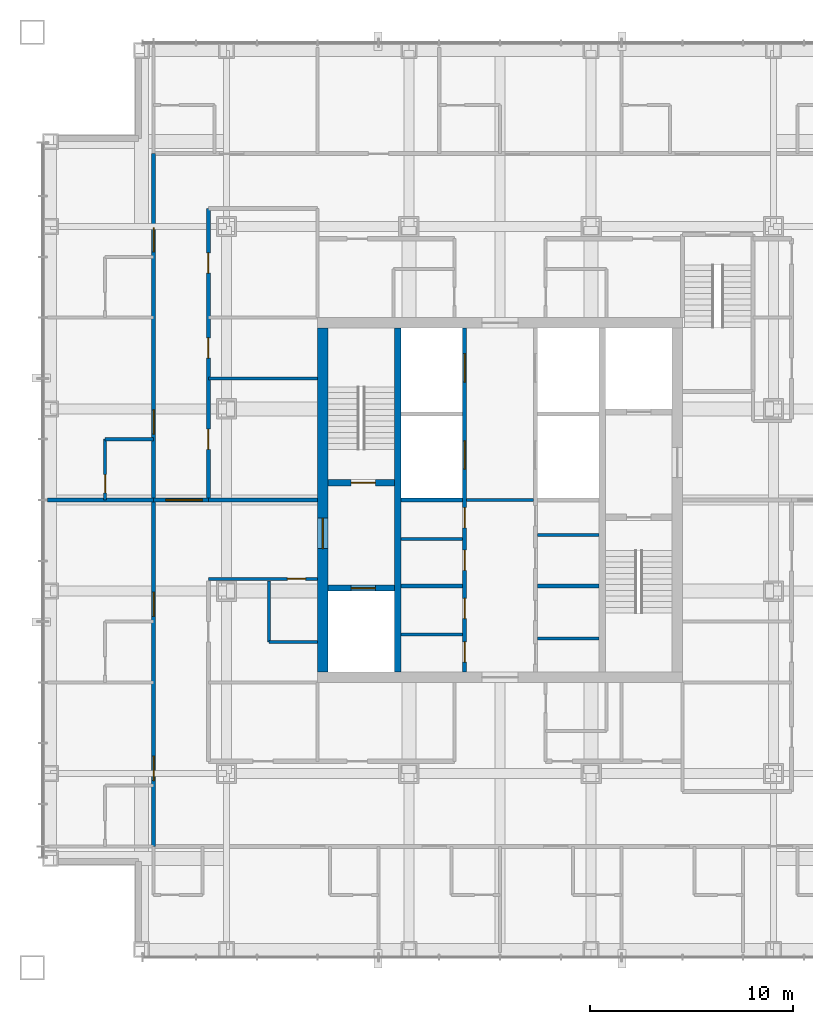
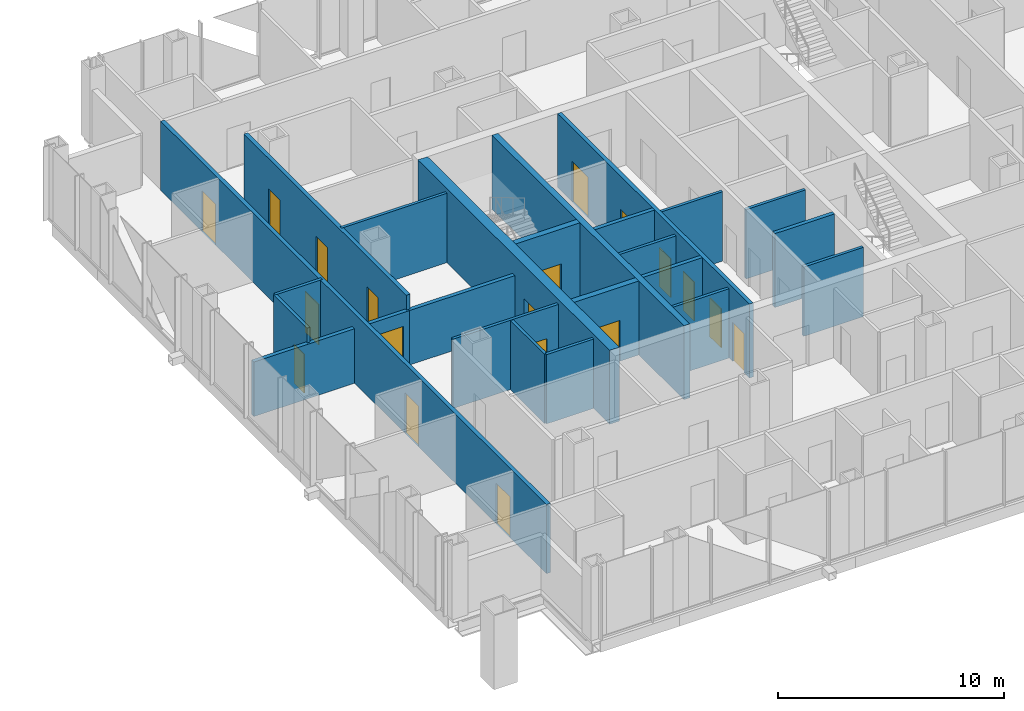
# One storey, part 12 of 16: 24 walls, 19 doors, 19 openings.
"""IFC4 building model written with IfcOpenShell, lengths in metres."""

from ifc_helpers import new_model, si_unit, direction, frame, frame_2d, origin, place, context, subcontext, project, spatial, rectangle, extrude, material, layer, layer_set, type_object, element, fill, save


model = new_model("IFC4")

# Units and contexts
model_context = context("Model", 3, precision=1e-05, world=origin(), true_north=direction((0.0, 1.0)))
body_context = subcontext(model_context, "Body", "Model", "MODEL_VIEW")
ifc_project = project(units=[si_unit("LENGTHUNIT", "METRE"), si_unit("AREAUNIT", "SQUARE_METRE"), si_unit("VOLUMEUNIT", "CUBIC_METRE"), si_unit("PLANEANGLEUNIT", "RADIAN"), si_unit("MASSUNIT", "GRAM", prefix="KILO")], contexts=[model_context])

# Site, building, storey
site_placement = place(None, origin())
site = spatial("IfcSite", under=ifc_project, at=site_placement, CompositionType="ELEMENT")
building_placement = place(site_placement, origin())
building = spatial("IfcBuilding", under=site, at=building_placement, Name="Malebo Sky Hospital", CompositionType="ELEMENT")
storey_placement = place(building_placement, frame((0.0, 0.0, 197.0)))
storey = spatial("IfcBuildingStorey", under=building, at=storey_placement, Name="L47", CompositionType="ELEMENT", Elevation=197.0)

# Wall, openings, doors
ifc_material_1 = material(Name="Concrete C80/95", Category="concrete")
ifc_layer_1 = layer(ifc_material_1, 0.199951171875)
ifc_layer_set_1 = layer_set([ifc_layer_1], Name="CORE INNER WALL 200")
wall_type_1 = type_object("IfcWallType", Name="CORE INNER WALL 200", PredefinedType="SHEAR", material=ifc_layer_set_1)
wall_1_placement = place(storey_placement, frame((58.25, 53.5, 0.0), z_axis=(0.0, 0.0, 1.0), x_axis=(0.0, 1.0, 0.0)))
wall_1 = element("IfcWall", 1, at=wall_1_placement, inside=storey, type_object=wall_type_1, Name="Core wall LW L47", PredefinedType="SHEAR", context=body_context, shape_type="SweptSolid", body=[
    extrude(rectangle(XDim=17.0, YDim=0.199951171875, at=frame_2d((8.5, 0.0))), origin(), (0.0, 0.0, 1.0), 4.0),
])
opening_1_placement = place(wall_1_placement, frame((0.49609375, 0.0, 0.0)))
opening_1 = element("IfcOpeningElement", 2, at=opening_1_placement, cuts=wall_1, Name="Opening D17", PredefinedType="OPENING", context=body_context, shape_type="SweptSolid", body=[
    extrude(rectangle(XDim=1.0, YDim=2.10009765625, at=frame_2d((0.5, 1.050048828125))), frame((0.0, 0.10986328125, 0.0), z_axis=(0.0, -1.0, 0.0), x_axis=(1.0, 0.0, 0.0)), (0.0, 0.0, 1.0), 0.219970703125),
])
opening_2_placement = place(wall_1_placement, frame((2.64599609375, 0.0, 0.0)))
opening_2 = element("IfcOpeningElement", 3, at=opening_2_placement, cuts=wall_1, Name="Opening D17", PredefinedType="OPENING", context=body_context, shape_type="SweptSolid", body=[
    extrude(rectangle(XDim=1.0, YDim=2.10009765625, at=frame_2d((0.5, 1.050048828125))), frame((0.0, 0.10986328125, 0.0), z_axis=(0.0, -1.0, 0.0), x_axis=(1.0, 0.0, 0.0)), (0.0, 0.0, 1.0), 0.219970703125),
])
opening_3_placement = place(wall_1_placement, frame((5.026611328125, 0.0, 0.0)))
opening_3 = element("IfcOpeningElement", 4, at=opening_3_placement, cuts=wall_1, Name="Opening D17", PredefinedType="OPENING", context=body_context, shape_type="SweptSolid", body=[
    extrude(rectangle(XDim=1.0, YDim=2.10009765625, at=frame_2d((0.5, 1.050048828125))), frame((0.0, 0.10986328125, 0.0), z_axis=(0.0, -1.0, 0.0), x_axis=(1.0, 0.0, 0.0)), (0.0, 0.0, 1.0), 0.219970703125),
])
opening_4_placement = place(wall_1_placement, frame((7.12646484375, 0.0, 0.0)))
opening_4 = element("IfcOpeningElement", 5, at=opening_4_placement, cuts=wall_1, Name="Opening D17", PredefinedType="OPENING", context=body_context, shape_type="SweptSolid", body=[
    extrude(rectangle(XDim=1.0, YDim=2.10009765625, at=frame_2d((0.5, 1.050048828125))), frame((0.0, 0.10986328125, 0.0), z_axis=(0.0, -1.0, 0.0), x_axis=(1.0, 0.0, 0.0)), (0.0, 0.0, 1.0), 0.219970703125),
])
opening_5_placement = place(wall_1_placement, frame((10.02490234375, 0.0, 0.0)))
opening_5 = element("IfcOpeningElement", 6, at=opening_5_placement, cuts=wall_1, Name="Opening LD1", PredefinedType="OPENING", context=body_context, shape_type="SweptSolid", body=[
    extrude(rectangle(XDim=1.39990234375, YDim=2.199951171875, at=frame_2d((0.699951171875, 1.10009765625))), frame((0.0, 0.10986328125, 0.0), z_axis=(0.0, -1.0, 0.0), x_axis=(1.0, 0.0, 0.0)), (0.0, 0.0, 1.0), 0.219970703125),
])
opening_6_placement = place(wall_1_placement, frame((14.324951171875, 0.0, 0.0)))
opening_6 = element("IfcOpeningElement", 7, at=opening_6_placement, cuts=wall_1, Name="Opening LD1", PredefinedType="OPENING", context=body_context, shape_type="SweptSolid", body=[
    extrude(rectangle(XDim=1.39990234375, YDim=2.199951171875, at=frame_2d((0.699951171875, 1.10009765625))), frame((0.0, 0.10986328125, 0.0), z_axis=(0.0, -1.0, 0.0), x_axis=(1.0, 0.0, 0.0)), (0.0, 0.0, 1.0), 0.219970703125),
])
ifc_material_2 = material(Name="Hardwood-faced door leaf in steel frame", Category="steel")
door_type_1 = type_object("IfcDoorType", Name="FIRE DOOR 1000", OperationType="SINGLE_SWING_LEFT", PredefinedType="DOOR", material=ifc_material_2)
door_1_placement = place(opening_1_placement, origin())
door_1 = element("IfcDoor", 8, at=door_1_placement, inside=storey, type_object=door_type_1, Name="Archive store door", OperationType="SINGLE_SWING_RIGHT", OverallHeight=2.10009765625, OverallWidth=1.0, PredefinedType="DOOR", context=body_context, shape_type="SweptSolid", body=[
    extrude(rectangle(XDim=1.0, YDim=2.10009765625, at=frame_2d((0.5, 1.050048828125))), frame((0.0, 0.02490234375, 0.0), z_axis=(0.0, -1.0, 0.0), x_axis=(1.0, 0.0, 0.0)), (0.0, 0.0, 1.0), 0.050048828125),
])
fill(opening_1, door_1)
door_2_placement = place(opening_2_placement, origin())
door_2 = element("IfcDoor", 9, at=door_2_placement, inside=storey, type_object=door_type_1, Name="General store door", OperationType="SINGLE_SWING_RIGHT", OverallHeight=2.10009765625, OverallWidth=1.0, PredefinedType="DOOR", context=body_context, shape_type="SweptSolid", body=[
    extrude(rectangle(XDim=1.0, YDim=2.10009765625, at=frame_2d((0.5, 1.050048828125))), frame((0.0, 0.02490234375, 0.0), z_axis=(0.0, -1.0, 0.0), x_axis=(1.0, 0.0, 0.0)), (0.0, 0.0, 1.0), 0.050048828125),
])
fill(opening_2, door_2)
door_3_placement = place(opening_3_placement, origin())
door_3 = element("IfcDoor", 10, at=door_3_placement, inside=storey, type_object=door_type_1, Name="Records store door", OperationType="SINGLE_SWING_RIGHT", OverallHeight=2.10009765625, OverallWidth=1.0, PredefinedType="DOOR", context=body_context, shape_type="SweptSolid", body=[
    extrude(rectangle(XDim=1.0, YDim=2.10009765625, at=frame_2d((0.5, 1.050048828125))), frame((0.0, 0.02490234375, 0.0), z_axis=(0.0, -1.0, 0.0), x_axis=(1.0, 0.0, 0.0)), (0.0, 0.0, 1.0), 0.050048828125),
])
fill(opening_3, door_3)
door_4_placement = place(opening_4_placement, origin())
door_4 = element("IfcDoor", 11, at=door_4_placement, inside=storey, type_object=door_type_1, Name="Equipment store door", OperationType="SINGLE_SWING_RIGHT", OverallHeight=2.10009765625, OverallWidth=1.0, PredefinedType="DOOR", context=body_context, shape_type="SweptSolid", body=[
    extrude(rectangle(XDim=1.0, YDim=2.10009765625, at=frame_2d((0.5, 1.050048828125))), frame((0.0, 0.02490234375, 0.0), z_axis=(0.0, -1.0, 0.0), x_axis=(1.0, 0.0, 0.0)), (0.0, 0.0, 1.0), 0.050048828125),
])
fill(opening_4, door_4)
ifc_material_3 = material(Name="Stainless steel sliding landing door", Category="steel")
door_type_2 = type_object("IfcDoorType", Name="LIFT LANDING DOOR 1400", OperationType="SLIDING_TO_LEFT", PredefinedType="DOOR", material=ifc_material_3)
door_5_placement = place(opening_5_placement, origin())
door_5 = element("IfcDoor", 12, at=door_5_placement, inside=storey, type_object=door_type_2, Name="Lift W3 landing door", OperationType="SLIDING_TO_LEFT", OverallHeight=2.199951171875, OverallWidth=1.39990234375, PredefinedType="DOOR", context=body_context, shape_type="SweptSolid", body=[
    extrude(rectangle(XDim=1.39990234375, YDim=2.199951171875, at=frame_2d((0.699951171875, 1.10009765625))), frame((0.0, 0.02490234375, 0.0), z_axis=(0.0, -1.0, 0.0), x_axis=(1.0, 0.0, 0.0)), (0.0, 0.0, 1.0), 0.050048828125),
])
fill(opening_5, door_5)
door_6_placement = place(opening_6_placement, origin())
door_6 = element("IfcDoor", 13, at=door_6_placement, inside=storey, type_object=door_type_2, Name="Lift W4 landing door", OperationType="SLIDING_TO_LEFT", OverallHeight=2.199951171875, OverallWidth=1.39990234375, PredefinedType="DOOR", context=body_context, shape_type="SweptSolid", body=[
    extrude(rectangle(XDim=1.39990234375, YDim=2.199951171875, at=frame_2d((0.699951171875, 1.10009765625))), frame((0.0, 0.02490234375, 0.0), z_axis=(0.0, -1.0, 0.0), x_axis=(1.0, 0.0, 0.0)), (0.0, 0.0, 1.0), 0.050048828125),
])
fill(opening_6, door_6)

# Walls
for number, where, z_axis, x_axis, name in (
    (14, (55.10009765625, 57.75, 0.0), (0.0, 0.0, 1.0), (1.0, 0.0, 0.0), "Core wall SW0 L47"),
    (15, (61.85009765625, 57.75, 0.0), (0.0, 0.0, 1.0), (1.0, 0.0, 0.0), "Core wall SE0 L47"),
    (16, (55.10009765625, 62.0, 0.0), (0.0, 0.0, 1.0), (1.0, 0.0, 0.0), "Core wall SW1 L47"),
):
    element("IfcWall", number, at=place(storey_placement, frame(where, z_axis=z_axis, x_axis=x_axis)), inside=storey, type_object=wall_type_1, Name=name, PredefinedType="SHEAR", context=body_context, shape_type="SweptSolid", body=[
        extrude(rectangle(XDim=3.0498046875, YDim=0.199951171875, at=frame_2d((1.52490234375, 0.0))), origin(), (0.0, 0.0, 1.0), 4.0),
    ])
ifc_layer_2 = layer(ifc_material_1, 0.300048828125)
ifc_layer_set_2 = layer_set([ifc_layer_2], Name="CORE INNER WALL 300")
wall_type_2 = type_object("IfcWallType", Name="CORE INNER WALL 300", PredefinedType="SHEAR", material=ifc_layer_set_2)
wall_2_placement = place(storey_placement, frame((54.949951171875, 53.5, 0.0), z_axis=(0.0, 0.0, 1.0), x_axis=(0.0, 1.0, 0.0)))
element("IfcWall", 17, at=wall_2_placement, inside=storey, type_object=wall_type_2, Name="Core wall XW L47", PredefinedType="SHEAR", context=body_context, shape_type="SweptSolid", body=[
    extrude(rectangle(XDim=17.0, YDim=0.300048828125, at=frame_2d((8.5, 0.0))), origin(), (0.0, 0.0, 1.0), 4.0),
])

# Wall, opening, door
wall_3_placement = place(storey_placement, frame((51.5, 62.85009765625, 0.0), z_axis=(0.0, 0.0, 1.0), x_axis=(1.0, 0.0, 0.0)))
wall_3 = element("IfcWall", 18, at=wall_3_placement, inside=storey, type_object=wall_type_2, Name="Core wall W1 L47", PredefinedType="SHEAR", context=body_context, shape_type="SweptSolid", body=[
    extrude(rectangle(XDim=3.300048828125, YDim=0.300048828125, at=frame_2d((1.64990234375, 0.0))), origin(), (0.0, 0.0, 1.0), 4.0),
])
opening_7_placement = place(wall_3_placement, frame((1.14990234375, 0.0, 0.0)))
opening_7 = element("IfcOpeningElement", 19, at=opening_7_placement, cuts=wall_3, Name="Opening D08", PredefinedType="OPENING", context=body_context, shape_type="SweptSolid", body=[
    extrude(rectangle(XDim=1.199951171875, YDim=2.10009765625, at=frame_2d((0.60009765625, 1.050048828125))), frame((0.0, 0.159912109375, 0.0), z_axis=(0.0, -1.0, 0.0), x_axis=(1.0, 0.0, 0.0)), (0.0, 0.0, 1.0), 0.320068359375),
])
door_type_3 = type_object("IfcDoorType", Name="STAIR DOOR 1200", OperationType="SINGLE_SWING_LEFT", PredefinedType="DOOR", material=ifc_material_2)
door_7_placement = place(opening_7_placement, origin())
door_7 = element("IfcDoor", 20, at=door_7_placement, inside=storey, type_object=door_type_3, Name="Stair S1 door", OperationType="SINGLE_SWING_RIGHT", OverallHeight=2.10009765625, OverallWidth=1.199951171875, PredefinedType="DOOR", context=body_context, shape_type="SweptSolid", body=[
    extrude(rectangle(XDim=1.199951171875, YDim=2.10009765625, at=frame_2d((0.60009765625, 1.050048828125))), frame((0.0, 0.02490234375, 0.0), z_axis=(0.0, -1.0, 0.0), x_axis=(1.0, 0.0, 0.0)), (0.0, 0.0, 1.0), 0.050048828125),
])
fill(opening_7, door_7)

wall_4_placement = place(storey_placement, frame((51.5, 57.64990234375, 0.0), z_axis=(0.0, 0.0, 1.0), x_axis=(1.0, 0.0, 0.0)))
wall_4 = element("IfcWall", 21, at=wall_4_placement, inside=storey, type_object=wall_type_2, Name="Core wall W2 L47", PredefinedType="SHEAR", context=body_context, shape_type="SweptSolid", body=[
    extrude(rectangle(XDim=3.300048828125, YDim=0.300048828125, at=frame_2d((1.64990234375, 0.0))), origin(), (0.0, 0.0, 1.0), 4.0),
])
opening_8_placement = place(wall_4_placement, frame((1.14990234375, 0.0, 0.0)))
opening_8 = element("IfcOpeningElement", 22, at=opening_8_placement, cuts=wall_4, Name="Opening LD2", PredefinedType="OPENING", context=body_context, shape_type="SweptSolid", body=[
    extrude(rectangle(XDim=1.199951171875, YDim=2.199951171875, at=frame_2d((0.60009765625, 1.10009765625))), frame((0.0, 0.159912109375, 0.0), z_axis=(0.0, -1.0, 0.0), x_axis=(1.0, 0.0, 0.0)), (0.0, 0.0, 1.0), 0.320068359375),
])
door_type_4 = type_object("IfcDoorType", Name="FIRE-FIGHTING LIFT LANDING DOOR 1200", OperationType="SLIDING_TO_LEFT", PredefinedType="DOOR", material=ifc_material_3)
door_8_placement = place(opening_8_placement, origin())
door_8 = element("IfcDoor", 23, at=door_8_placement, inside=storey, type_object=door_type_4, Name="Lift FL1 landing door", OperationType="SLIDING_TO_LEFT", OverallHeight=2.199951171875, OverallWidth=1.199951171875, PredefinedType="DOOR", context=body_context, shape_type="SweptSolid", body=[
    extrude(rectangle(XDim=1.199951171875, YDim=2.199951171875, at=frame_2d((0.60009765625, 1.10009765625))), frame((0.0, 0.02490234375, 0.0), z_axis=(0.0, -1.0, 0.0), x_axis=(1.0, 0.0, 0.0)), (0.0, 0.0, 1.0), 0.050048828125),
])
fill(opening_8, door_8)

ifc_layer_3 = layer(ifc_material_1, 0.5)
ifc_layer_set_3 = layer_set([ifc_layer_3], Name="CORE WALL 500")
wall_type_3 = type_object("IfcWallType", Name="CORE WALL 500", PredefinedType="SHEAR", material=ifc_layer_set_3)
wall_5_placement = place(storey_placement, frame((51.25, 53.5, 0.0), z_axis=(0.0, 0.0, 1.0), x_axis=(0.0, 1.0, 0.0)))
wall_5 = element("IfcWall", 24, at=wall_5_placement, inside=storey, type_object=wall_type_3, Name="Core wall W L47", PredefinedType="SHEAR", context=body_context, shape_type="SweptSolid", body=[
    extrude(rectangle(XDim=17.0, YDim=0.5, at=frame_2d((8.5, 0.0))), origin(), (0.0, 0.0, 1.0), 4.0),
])
opening_9_placement = place(wall_5_placement, frame((6.10009765625, 0.0, 0.0)))
opening_9 = element("IfcOpeningElement", 25, at=opening_9_placement, cuts=wall_5, Name="Opening D07", PredefinedType="OPENING", context=body_context, shape_type="SweptSolid", body=[
    extrude(rectangle(XDim=1.5, YDim=2.199951171875, at=frame_2d((0.75, 1.10009765625))), frame((0.0, 0.260009765625, 0.0), z_axis=(0.0, -1.0, 0.0), x_axis=(1.0, 0.0, 0.0)), (0.0, 0.0, 1.0), 0.52001953125),
])
door_type_5 = type_object("IfcDoorType", Name="FIRE-FIGHTING LOBBY DOOR PAIR 1500", OperationType="DOUBLE_DOOR_SINGLE_SWING", PredefinedType="DOOR", material=ifc_material_2)
door_9_placement = place(opening_9_placement, origin())
door_9 = element("IfcDoor", 26, at=door_9_placement, inside=storey, type_object=door_type_5, Name="Fire-fighting lobby door west", OperationType="DOUBLE_DOOR_SINGLE_SWING", OverallHeight=2.199951171875, OverallWidth=1.5, PredefinedType="DOOR", context=body_context, shape_type="SweptSolid", body=[
    extrude(rectangle(XDim=1.5, YDim=2.199951171875, at=frame_2d((0.75, 1.10009765625))), frame((0.0, 0.02490234375, 0.0), z_axis=(0.0, -1.0, 0.0), x_axis=(1.0, 0.0, 0.0)), (0.0, 0.0, 1.0), 0.050048828125),
])
fill(opening_9, door_9)

# Wall, openings, doors
ifc_material_4 = material(Name="Gypsum board on steel studs", Category="steel")
ifc_layer_4 = layer(ifc_material_4, 0.199951171875)
ifc_layer_set_4 = layer_set([ifc_layer_4], Name="CORRIDOR WALL 200")
wall_type_4 = type_object("IfcWallType", Name="CORRIDOR WALL 200", PredefinedType="PARTITIONING", material=ifc_layer_set_4)
wall_6_placement = place(storey_placement, frame((42.89990234375, 44.89990234375, 0.0), z_axis=(0.0, 0.0, 1.0), x_axis=(0.0, 1.0, 0.0)))
wall_6 = element("IfcWall", 27, at=wall_6_placement, inside=storey, type_object=wall_type_4, Name="Corridor Wall 200 WCO", PredefinedType="PARTITIONING", context=body_context, shape_type="SweptSolid", body=[
    extrude(rectangle(XDim=34.2001953125, YDim=0.199951171875, at=frame_2d((17.10009765625, 0.0))), origin(), (0.0, 0.0, 1.0), 3.75),
])
opening_10_placement = place(wall_6_placement, frame((3.25, 0.0, 0.0)))
opening_10 = element("IfcOpeningElement", 28, at=opening_10_placement, cuts=wall_6, Name="Opening D01", PredefinedType="OPENING", context=body_context, shape_type="SweptSolid", body=[
    extrude(rectangle(XDim=1.199951171875, YDim=2.199951171875, at=frame_2d((0.60009765625, 1.10009765625))), frame((0.0, 0.10986328125, 0.0), z_axis=(0.0, -1.0, 0.0), x_axis=(1.0, 0.0, 0.0)), (0.0, 0.0, 1.0), 0.219970703125),
])
opening_11_placement = place(wall_6_placement, frame((11.35009765625, 0.0, 0.0)))
opening_11 = element("IfcOpeningElement", 29, at=opening_11_placement, cuts=wall_6, Name="Opening D01", PredefinedType="OPENING", context=body_context, shape_type="SweptSolid", body=[
    extrude(rectangle(XDim=1.199951171875, YDim=2.199951171875, at=frame_2d((0.60009765625, 1.10009765625))), frame((0.0, 0.10986328125, 0.0), z_axis=(0.0, -1.0, 0.0), x_axis=(1.0, 0.0, 0.0)), (0.0, 0.0, 1.0), 0.219970703125),
])
opening_12_placement = place(wall_6_placement, frame((20.35009765625, 0.0, 0.0)))
opening_12 = element("IfcOpeningElement", 30, at=opening_12_placement, cuts=wall_6, Name="Opening D01", PredefinedType="OPENING", context=body_context, shape_type="SweptSolid", body=[
    extrude(rectangle(XDim=1.199951171875, YDim=2.199951171875, at=frame_2d((0.60009765625, 1.10009765625))), frame((0.0, 0.10986328125, 0.0), z_axis=(0.0, -1.0, 0.0), x_axis=(1.0, 0.0, 0.0)), (0.0, 0.0, 1.0), 0.219970703125),
])
opening_13_placement = place(wall_6_placement, frame((29.35009765625, 0.0, 0.0)))
opening_13 = element("IfcOpeningElement", 31, at=opening_13_placement, cuts=wall_6, Name="Opening D01", PredefinedType="OPENING", context=body_context, shape_type="SweptSolid", body=[
    extrude(rectangle(XDim=1.199951171875, YDim=2.199951171875, at=frame_2d((0.60009765625, 1.10009765625))), frame((0.0, 0.10986328125, 0.0), z_axis=(0.0, -1.0, 0.0), x_axis=(1.0, 0.0, 0.0)), (0.0, 0.0, 1.0), 0.219970703125),
])
door_type_6 = type_object("IfcDoorType", Name="BED DOOR 1200", OperationType="SINGLE_SWING_LEFT", PredefinedType="DOOR", material=ifc_material_2)
door_10_placement = place(opening_10_placement, origin())
door_10 = element("IfcDoor", 32, at=door_10_placement, inside=storey, type_object=door_type_6, Name="Two-bed room door", OperationType="SINGLE_SWING_LEFT", OverallHeight=2.199951171875, OverallWidth=1.199951171875, PredefinedType="DOOR", context=body_context, shape_type="SweptSolid", body=[
    extrude(rectangle(XDim=1.199951171875, YDim=2.199951171875, at=frame_2d((0.60009765625, 1.10009765625))), frame((0.0, 0.02490234375, 0.0), z_axis=(0.0, -1.0, 0.0), x_axis=(1.0, 0.0, 0.0)), (0.0, 0.0, 1.0), 0.050048828125),
])
fill(opening_10, door_10)
door_11_placement = place(opening_11_placement, origin())
door_11 = element("IfcDoor", 33, at=door_11_placement, inside=storey, type_object=door_type_6, Name="Two-bed room door", OperationType="SINGLE_SWING_LEFT", OverallHeight=2.199951171875, OverallWidth=1.199951171875, PredefinedType="DOOR", context=body_context, shape_type="SweptSolid", body=[
    extrude(rectangle(XDim=1.199951171875, YDim=2.199951171875, at=frame_2d((0.60009765625, 1.10009765625))), frame((0.0, 0.02490234375, 0.0), z_axis=(0.0, -1.0, 0.0), x_axis=(1.0, 0.0, 0.0)), (0.0, 0.0, 1.0), 0.050048828125),
])
fill(opening_11, door_11)
door_12_placement = place(opening_12_placement, origin())
door_12 = element("IfcDoor", 34, at=door_12_placement, inside=storey, type_object=door_type_6, Name="Two-bed room door", OperationType="SINGLE_SWING_LEFT", OverallHeight=2.199951171875, OverallWidth=1.199951171875, PredefinedType="DOOR", context=body_context, shape_type="SweptSolid", body=[
    extrude(rectangle(XDim=1.199951171875, YDim=2.199951171875, at=frame_2d((0.60009765625, 1.10009765625))), frame((0.0, 0.02490234375, 0.0), z_axis=(0.0, -1.0, 0.0), x_axis=(1.0, 0.0, 0.0)), (0.0, 0.0, 1.0), 0.050048828125),
])
fill(opening_12, door_12)
door_13_placement = place(opening_13_placement, origin())
door_13 = element("IfcDoor", 35, at=door_13_placement, inside=storey, type_object=door_type_6, Name="Two-bed room door", OperationType="SINGLE_SWING_LEFT", OverallHeight=2.199951171875, OverallWidth=1.199951171875, PredefinedType="DOOR", context=body_context, shape_type="SweptSolid", body=[
    extrude(rectangle(XDim=1.199951171875, YDim=2.199951171875, at=frame_2d((0.60009765625, 1.10009765625))), frame((0.0, 0.02490234375, 0.0), z_axis=(0.0, -1.0, 0.0), x_axis=(1.0, 0.0, 0.0)), (0.0, 0.0, 1.0), 0.050048828125),
])
fill(opening_13, door_13)

wall_7_placement = place(storey_placement, frame((45.60009765625, 62.0, 0.0), z_axis=(0.0, 0.0, 1.0), x_axis=(0.0, 1.0, 0.0)))
wall_7 = element("IfcWall", 36, at=wall_7_placement, inside=storey, type_object=wall_type_4, Name="Corridor Wall 200 WCI2", PredefinedType="PARTITIONING", context=body_context, shape_type="SweptSolid", body=[
    extrude(rectangle(XDim=14.39990234375, YDim=0.199951171875, at=frame_2d((7.199951171875, 0.0))), origin(), (0.0, 0.0, 1.0), 3.75),
])
opening_14_placement = place(wall_7_placement, frame((2.5, 0.0, 0.0)))
opening_14 = element("IfcOpeningElement", 37, at=opening_14_placement, cuts=wall_7, Name="Opening D03", PredefinedType="OPENING", context=body_context, shape_type="SweptSolid", body=[
    extrude(rectangle(XDim=1.0, YDim=2.10009765625, at=frame_2d((0.5, 1.050048828125))), frame((0.0, 0.10986328125, 0.0), z_axis=(0.0, -1.0, 0.0), x_axis=(1.0, 0.0, 0.0)), (0.0, 0.0, 1.0), 0.219970703125),
])
opening_15_placement = place(wall_7_placement, frame((7.0, 0.0, 0.0)))
opening_15 = element("IfcOpeningElement", 38, at=opening_15_placement, cuts=wall_7, Name="Opening D03", PredefinedType="OPENING", context=body_context, shape_type="SweptSolid", body=[
    extrude(rectangle(XDim=1.0, YDim=2.10009765625, at=frame_2d((0.5, 1.050048828125))), frame((0.0, 0.10986328125, 0.0), z_axis=(0.0, -1.0, 0.0), x_axis=(1.0, 0.0, 0.0)), (0.0, 0.0, 1.0), 0.219970703125),
])
opening_16_placement = place(wall_7_placement, frame((11.199951171875, 0.0, 0.0)))
opening_16 = element("IfcOpeningElement", 39, at=opening_16_placement, cuts=wall_7, Name="Opening D03", PredefinedType="OPENING", context=body_context, shape_type="SweptSolid", body=[
    extrude(rectangle(XDim=1.0, YDim=2.10009765625, at=frame_2d((0.5, 1.050048828125))), frame((0.0, 0.10986328125, 0.0), z_axis=(0.0, -1.0, 0.0), x_axis=(1.0, 0.0, 0.0)), (0.0, 0.0, 1.0), 0.219970703125),
])
door_type_7 = type_object("IfcDoorType", Name="ROOM DOOR 1000", OperationType="SINGLE_SWING_LEFT", PredefinedType="DOOR", material=ifc_material_2)
door_14_placement = place(opening_14_placement, origin())
door_14 = element("IfcDoor", 40, at=door_14_placement, inside=storey, type_object=door_type_7, Name="Staff rest room door", OperationType="SINGLE_SWING_LEFT", OverallHeight=2.10009765625, OverallWidth=1.0, PredefinedType="DOOR", context=body_context, shape_type="SweptSolid", body=[
    extrude(rectangle(XDim=1.0, YDim=2.10009765625, at=frame_2d((0.5, 1.050048828125))), frame((0.0, 0.02490234375, 0.0), z_axis=(0.0, -1.0, 0.0), x_axis=(1.0, 0.0, 0.0)), (0.0, 0.0, 1.0), 0.050048828125),
])
fill(opening_14, door_14)
door_15_placement = place(opening_15_placement, origin())
door_15 = element("IfcDoor", 41, at=door_15_placement, inside=storey, type_object=door_type_7, Name="Ward office door", OperationType="SINGLE_SWING_LEFT", OverallHeight=2.10009765625, OverallWidth=1.0, PredefinedType="DOOR", context=body_context, shape_type="SweptSolid", body=[
    extrude(rectangle(XDim=1.0, YDim=2.10009765625, at=frame_2d((0.5, 1.050048828125))), frame((0.0, 0.02490234375, 0.0), z_axis=(0.0, -1.0, 0.0), x_axis=(1.0, 0.0, 0.0)), (0.0, 0.0, 1.0), 0.050048828125),
])
fill(opening_15, door_15)
door_16_placement = place(opening_16_placement, origin())
door_16 = element("IfcDoor", 42, at=door_16_placement, inside=storey, type_object=door_type_7, Name="Staff base door", OperationType="SINGLE_SWING_RIGHT", OverallHeight=2.10009765625, OverallWidth=1.0, PredefinedType="DOOR", context=body_context, shape_type="SweptSolid", body=[
    extrude(rectangle(XDim=1.0, YDim=2.10009765625, at=frame_2d((0.5, 1.050048828125))), frame((0.0, 0.02490234375, 0.0), z_axis=(0.0, -1.0, 0.0), x_axis=(1.0, 0.0, 0.0)), (0.0, 0.0, 1.0), 0.050048828125),
])
fill(opening_16, door_16)

# Wall, opening, door
ifc_layer_5 = layer(ifc_material_4, 0.14990234375)
ifc_layer_set_5 = layer_set([ifc_layer_5], Name="PARTITION 150")
wall_type_5 = type_object("IfcWallType", Name="PARTITION 150", PredefinedType="PARTITIONING", material=ifc_layer_set_5)
wall_8_placement = place(storey_placement, frame((40.5, 62.0, 0.0), z_axis=(0.0, 0.0, 1.0), x_axis=(0.0, 1.0, 0.0)))
wall_8 = element("IfcWall", 43, at=wall_8_placement, inside=storey, type_object=wall_type_5, Name="Partition 150 WE2F", PredefinedType="PARTITIONING", context=body_context, shape_type="SweptSolid", body=[
    extrude(rectangle(XDim=3.0, YDim=0.14990234375, at=frame_2d((1.5, 0.0))), origin(), (0.0, 0.0, 1.0), 3.75),
])
opening_17_placement = place(wall_8_placement, frame((0.35009765625, 0.0, 0.0)))
opening_17 = element("IfcOpeningElement", 44, at=opening_17_placement, cuts=wall_8, Name="Opening D02", PredefinedType="OPENING", context=body_context, shape_type="SweptSolid", body=[
    extrude(rectangle(XDim=0.89990234375, YDim=2.10009765625, at=frame_2d((0.449951171875, 1.050048828125))), frame((0.0, 0.0849609375, 0.0), z_axis=(0.0, -1.0, 0.0), x_axis=(1.0, 0.0, 0.0)), (0.0, 0.0, 1.0), 0.169921875),
])
door_type_8 = type_object("IfcDoorType", Name="EN-SUITE DOOR 900", OperationType="SINGLE_SWING_LEFT", PredefinedType="DOOR", material=ifc_material_2)
door_17_placement = place(opening_17_placement, origin())
door_17 = element("IfcDoor", 45, at=door_17_placement, inside=storey, type_object=door_type_8, Name="En-suite door", OperationType="SINGLE_SWING_LEFT", OverallHeight=2.10009765625, OverallWidth=0.89990234375, PredefinedType="DOOR", context=body_context, shape_type="SweptSolid", body=[
    extrude(rectangle(XDim=0.89990234375, YDim=2.10009765625, at=frame_2d((0.449951171875, 1.050048828125))), frame((0.0, 0.02490234375, 0.0), z_axis=(0.0, -1.0, 0.0), x_axis=(1.0, 0.0, 0.0)), (0.0, 0.0, 1.0), 0.050048828125),
])
fill(opening_17, door_17)

# Wall
wall_9_placement = place(storey_placement, frame((42.89990234375, 65.0, 0.0), z_axis=(0.0, 0.0, 1.0), x_axis=(-1.0, 0.0, 0.0)))
element("IfcWall", 46, at=wall_9_placement, inside=storey, type_object=wall_type_5, Name="Partition 150 WE2S", PredefinedType="PARTITIONING", context=body_context, shape_type="SweptSolid", body=[
    extrude(rectangle(XDim=2.39990234375, YDim=0.14990234375, at=frame_2d((1.199951171875, 0.0))), origin(), (0.0, 0.0, 1.0), 3.75),
])

# Wall, opening, door
wall_10_placement = place(storey_placement, frame((51.0, 58.10009765625, 0.0), z_axis=(0.0, 0.0, 1.0), x_axis=(-1.0, 0.0, 0.0)))
wall_10 = element("IfcWall", 47, at=wall_10_placement, inside=storey, type_object=wall_type_5, Name="Partition 150 WSPA", PredefinedType="PARTITIONING", context=body_context, shape_type="SweptSolid", body=[
    extrude(rectangle(XDim=5.39990234375, YDim=0.14990234375, at=frame_2d((2.699951171875, 0.0))), origin(), (0.0, 0.0, 1.0), 3.75),
])
opening_18_placement = place(wall_10_placement, frame((0.60009765625, 0.0, 0.0)))
opening_18 = element("IfcOpeningElement", 48, at=opening_18_placement, cuts=wall_10, Name="Opening D04", PredefinedType="OPENING", context=body_context, shape_type="SweptSolid", body=[
    extrude(rectangle(XDim=0.89990234375, YDim=2.10009765625, at=frame_2d((0.449951171875, 1.050048828125))), frame((0.0, 0.0849609375, 0.0), z_axis=(0.0, -1.0, 0.0), x_axis=(1.0, 0.0, 0.0)), (0.0, 0.0, 1.0), 0.169921875),
])
door_type_9 = type_object("IfcDoorType", Name="ROOM DOOR 900", OperationType="SINGLE_SWING_LEFT", PredefinedType="DOOR", material=ifc_material_2)
door_18_placement = place(opening_18_placement, origin())
door_18 = element("IfcDoor", 49, at=door_18_placement, inside=storey, type_object=door_type_9, Name="Cleaner's room door", OperationType="SINGLE_SWING_LEFT", OverallHeight=2.10009765625, OverallWidth=0.89990234375, PredefinedType="DOOR", context=body_context, shape_type="SweptSolid", body=[
    extrude(rectangle(XDim=0.89990234375, YDim=2.10009765625, at=frame_2d((0.449951171875, 1.050048828125))), frame((0.0, 0.02490234375, 0.0), z_axis=(0.0, -1.0, 0.0), x_axis=(1.0, 0.0, 0.0)), (0.0, 0.0, 1.0), 0.050048828125),
])
fill(opening_18, door_18)

# Walls
wall_11_placement = place(storey_placement, frame((51.0, 68.0, 0.0), z_axis=(0.0, 0.0, 1.0), x_axis=(-1.0, 0.0, 0.0)))
element("IfcWall", 50, at=wall_11_placement, inside=storey, type_object=wall_type_5, Name="Partition 150 WSP+6.0", PredefinedType="PARTITIONING", context=body_context, shape_type="SweptSolid", body=[
    extrude(rectangle(XDim=5.39990234375, YDim=0.14990234375, at=frame_2d((2.699951171875, 0.0))), origin(), (0.0, 0.0, 1.0), 3.75),
])
wall_12_placement = place(storey_placement, frame((48.60009765625, 55.0, 0.0), z_axis=(0.0, 0.0, 1.0), x_axis=(0.0, 1.0, 0.0)))
element("IfcWall", 51, at=wall_12_placement, inside=storey, type_object=wall_type_5, Name="Partition 150 WSX0", PredefinedType="PARTITIONING", context=body_context, shape_type="SweptSolid", body=[
    extrude(rectangle(XDim=3.0, YDim=0.14990234375, at=frame_2d((1.5, 0.0))), origin(), (0.0, 0.0, 1.0), 3.75),
])
wall_13_placement = place(storey_placement, frame((51.0, 55.0, 0.0), z_axis=(0.0, 0.0, 1.0), x_axis=(-1.0, 0.0, 0.0)))
element("IfcWall", 52, at=wall_13_placement, inside=storey, type_object=wall_type_5, Name="Partition 150 WSY0", PredefinedType="PARTITIONING", context=body_context, shape_type="SweptSolid", body=[
    extrude(rectangle(XDim=2.39990234375, YDim=0.14990234375, at=frame_2d((1.199951171875, 0.0))), origin(), (0.0, 0.0, 1.0), 3.75),
])
for number, where, z_axis, x_axis, name in (
    (53, (55.10009765625, 55.366943359375, 0.0), (0.0, 0.0, 1.0), (1.0, 0.0, 0.0), "Partition 150 SHW1"),
    (54, (61.85009765625, 55.159912109375, 0.0), (0.0, 0.0, 1.0), (1.0, 0.0, 0.0), "Partition 150 SHE1"),
    (55, (55.10009765625, 60.077880859375, 0.0), (0.0, 0.0, 1.0), (1.0, 0.0, 0.0), "Partition 150 SHW2"),
    (56, (61.85009765625, 60.280029296875, 0.0), (0.0, 0.0, 1.0), (1.0, 0.0, 0.0), "Partition 150 SHE2"),
):
    element("IfcWall", number, at=place(storey_placement, frame(where, z_axis=z_axis, x_axis=x_axis)), inside=storey, type_object=wall_type_5, Name=name, PredefinedType="PARTITIONING", context=body_context, shape_type="SweptSolid", body=[
        extrude(rectangle(XDim=3.0498046875, YDim=0.14990234375, at=frame_2d((1.52490234375, 0.0))), origin(), (0.0, 0.0, 1.0), 3.75),
    ])
wall_14_placement = place(storey_placement, frame((58.35009765625, 62.0, 0.0), z_axis=(0.0, 0.0, 1.0), x_axis=(1.0, 0.0, 0.0)))
element("IfcWall", 57, at=wall_14_placement, inside=storey, type_object=wall_type_5, Name="Partition 150 LBS", PredefinedType="PARTITIONING", context=body_context, shape_type="SweptSolid", body=[
    extrude(rectangle(XDim=3.2998046875, YDim=0.14990234375, at=frame_2d((1.64990234375, 0.0))), origin(), (0.0, 0.0, 1.0), 3.75),
])
ifc_material_5 = material(Name="Concrete blockwork", Category="masonry")
ifc_layer_6 = layer(ifc_material_5, 0.199951171875)
ifc_layer_set_6 = layer_set([ifc_layer_6], Name="SMOKE BARRIER WALL 200")
wall_type_6 = type_object("IfcWallType", Name="SMOKE BARRIER WALL 200", PredefinedType="SOLIDWALL", material=ifc_layer_set_6)
wall_15_placement = place(storey_placement, frame((42.89990234375, 62.0, 0.0), z_axis=(0.0, 0.0, 1.0), x_axis=(-1.0, 0.0, 0.0)))
element("IfcWall", 58, at=wall_15_placement, inside=storey, type_object=wall_type_6, Name="Smoke Barrier Wall 200 WP+0.0", PredefinedType="SOLIDWALL", context=body_context, shape_type="SweptSolid", body=[
    extrude(rectangle(XDim=5.25, YDim=0.199951171875, at=frame_2d((2.625, 0.0))), origin(), (0.0, 0.0, 1.0), 2.949951171875),
])
wall_16_placement = place(storey_placement, frame((51.0, 62.0, 0.0), z_axis=(0.0, 0.0, 1.0), x_axis=(-1.0, 0.0, 0.0)))
element("IfcWall", 59, at=wall_16_placement, inside=storey, type_object=wall_type_6, Name="Smoke Barrier Wall 200 WSPB", PredefinedType="SOLIDWALL", context=body_context, shape_type="SweptSolid", body=[
    extrude(rectangle(XDim=5.39990234375, YDim=0.199951171875, at=frame_2d((2.699951171875, 0.0))), origin(), (0.0, 0.0, 1.0), 2.949951171875),
])

# Wall, opening, door
wall_17_placement = place(storey_placement, frame((45.60009765625, 62.0, 0.0), z_axis=(0.0, 0.0, 1.0), x_axis=(-1.0, 0.0, 0.0)))
wall_17 = element("IfcWall", 60, at=wall_17_placement, inside=storey, type_object=wall_type_6, Name="Smoke Barrier Wall 200 WSB", PredefinedType="SOLIDWALL", context=body_context, shape_type="SweptSolid", body=[
    extrude(rectangle(XDim=2.7001953125, YDim=0.199951171875, at=frame_2d((1.35009765625, 0.0))), origin(), (0.0, 0.0, 1.0), 2.949951171875),
])
opening_19_placement = place(wall_17_placement, frame((0.300048828125, 0.0, 0.0)))
opening_19 = element("IfcOpeningElement", 61, at=opening_19_placement, cuts=wall_17, Name="Opening D05", PredefinedType="OPENING", context=body_context, shape_type="SweptSolid", body=[
    extrude(rectangle(XDim=1.800048828125, YDim=2.199951171875, at=frame_2d((0.89990234375, 1.10009765625))), frame((0.0, 0.10986328125, 0.0), z_axis=(0.0, -1.0, 0.0), x_axis=(1.0, 0.0, 0.0)), (0.0, 0.0, 1.0), 0.219970703125),
])
door_type_10 = type_object("IfcDoorType", Name="SMOKE DOOR PAIR 1800", OperationType="DOUBLE_DOOR_DOUBLE_SWING", PredefinedType="DOOR", material=ifc_material_2)
door_19_placement = place(opening_19_placement, origin())
door_19 = element("IfcDoor", 62, at=door_19_placement, inside=storey, type_object=door_type_10, Name="Smoke compartment door pair", OperationType="DOUBLE_DOOR_DOUBLE_SWING", OverallHeight=2.199951171875, OverallWidth=1.800048828125, PredefinedType="DOOR", context=body_context, shape_type="SweptSolid", body=[
    extrude(rectangle(XDim=1.800048828125, YDim=2.199951171875, at=frame_2d((0.89990234375, 1.10009765625))), frame((0.0, 0.02490234375, 0.0), z_axis=(0.0, -1.0, 0.0), x_axis=(1.0, 0.0, 0.0)), (0.0, 0.0, 1.0), 0.050048828125),
])
fill(opening_19, door_19)

save(model, "model.ifc")
